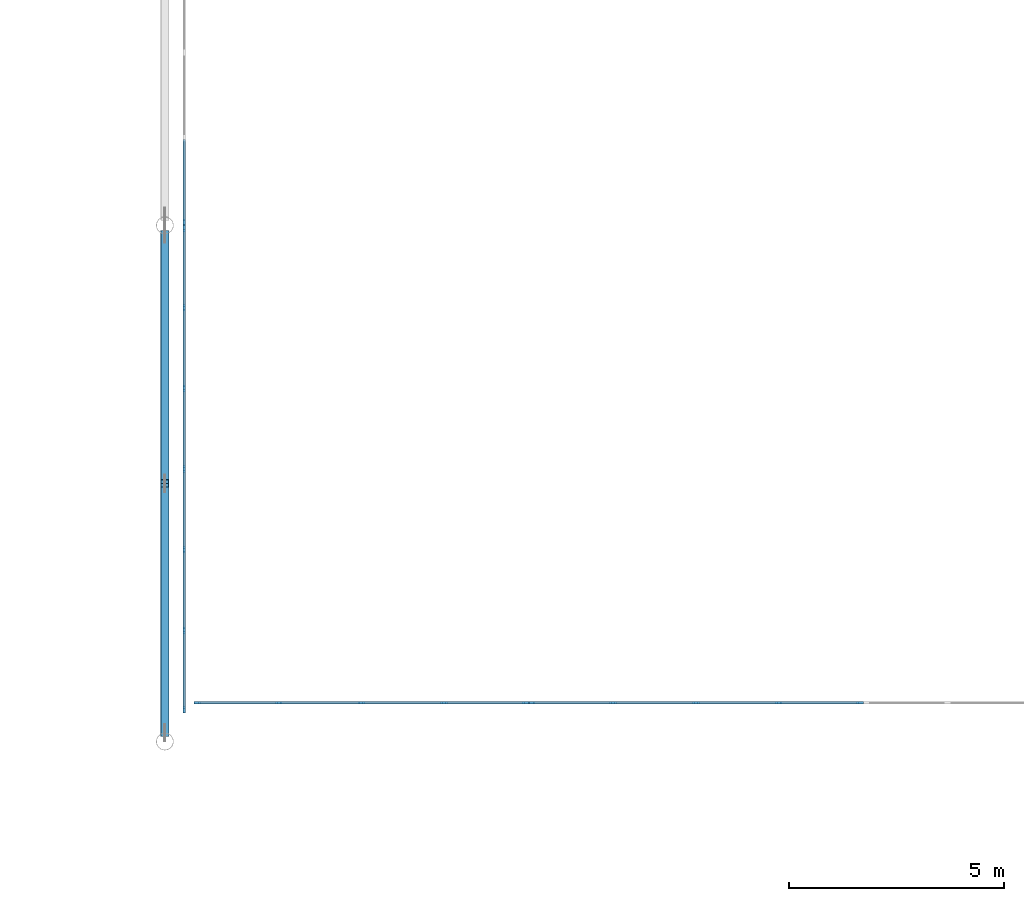
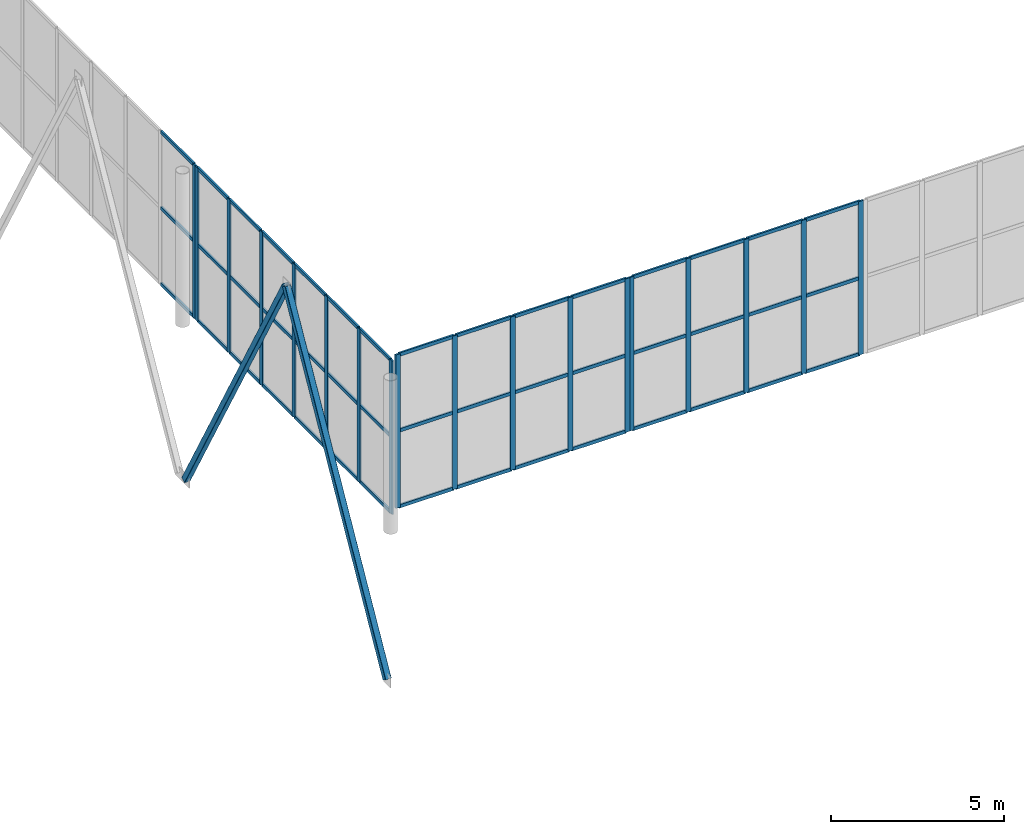
# One storey, part 51 of 170: 65 members, 4 elements without a shape of their own.
"""IFC4 building model written with IfcOpenShell, lengths in metres."""

from ifc_helpers import new_model, si_unit, direction, frame, origin, origin_2d, place, context, subcontext, project, spatial, rectangle, hollow_rectangle, extrude, material, layer, layer_set, material_profile, profile_set, type_object, element, aggregate, save


model = new_model("IFC4")

# Units and contexts
model_context = context("Model", 3, precision=1e-05, world=origin(), true_north=direction((0.0, 1.0)))
body_context = subcontext(model_context, "Body", "Model", "MODEL_VIEW")
ifc_project = project(units=[si_unit("LENGTHUNIT", "METRE"), si_unit("AREAUNIT", "SQUARE_METRE"), si_unit("VOLUMEUNIT", "CUBIC_METRE"), si_unit("PLANEANGLEUNIT", "RADIAN"), si_unit("MASSUNIT", "GRAM", prefix="KILO")], contexts=[model_context])

# Site, building, storey
site_placement = place(None, origin())
site = spatial("IfcSite", under=ifc_project, at=site_placement, CompositionType="ELEMENT")
building_placement = place(site_placement, origin())
building = spatial("IfcBuilding", under=site, at=building_placement, Name="Ravi Spectrum Wholesale Market", CompositionType="ELEMENT")
storey_placement = place(building_placement, frame((0.0, 0.0, 5.39990234375)))
storey = spatial("IfcBuildingStorey", under=building, at=storey_placement, Name="L01", CompositionType="ELEMENT", Elevation=5.39990234375)

# Curtain wall, members
ifc_material_1 = material(Name="Aluminium 6063-T6", Category="aluminium")
ifc_layer = layer(ifc_material_1, 0.14990234375)
ifc_layer_set = layer_set([ifc_layer], Name="Aluminium 6063-T6")
curtain_wall_type = type_object("IfcCurtainWallType", Name="Curtain wall 150", PredefinedType="NOTDEFINED", material=ifc_layer_set)
curtain_wall_1_placement = place(storey_placement, origin())
curtain_wall_1 = element("IfcCurtainWall", 1, at=curtain_wall_1_placement, inside=storey, type_object=curtain_wall_type, Name="H2-CW-L01-001", PredefinedType="NOTDEFINED")
ifc_material_2 = material(Name="Aluminium 6063-T6", Category="aluminium")
ifc_material_profile_1 = material_profile(ifc_material_2, rectangle(XDim=0.06005859375, YDim=0.159912109375, at=origin_2d()))
ifc_profile_set_1 = profile_set([ifc_material_profile_1], Name="Aluminium 6063-T6")
member_type_1 = type_object("IfcMemberType", Name="Mullion 60 x 160", PredefinedType="MULLION", material=ifc_profile_set_1)
member_1_placement = place(storey_placement, frame((150.453125, 78.739990234375, 0.0), z_axis=(0.0, 0.0, 1.0), x_axis=(-1.0, 0.0, 0.0)))
member_1 = element("IfcMember", 2, at=member_1_placement, type_object=member_type_1, Name="H2-CW-L01-001 mullion 1", PredefinedType="MULLION", context=body_context, shape_type="SweptSolid", body=[
    extrude(rectangle(XDim=0.06005859375, YDim=0.159912109375, at=origin_2d()), origin(), (0.0, 0.0, 1.0), 5.400146484375),
])
member_2_placement = place(storey_placement, frame((150.453125, 80.5849609375, 0.0), z_axis=(0.0, 0.0, 1.0), x_axis=(-1.0, 0.0, 0.0)))
member_2 = element("IfcMember", 3, at=member_2_placement, type_object=member_type_1, Name="H2-CW-L01-001 mullion 2", PredefinedType="MULLION", context=body_context, shape_type="SweptSolid", body=[
    extrude(rectangle(XDim=0.06005859375, YDim=0.159912109375, at=origin_2d()), origin(), (0.0, 0.0, 1.0), 5.400146484375),
])
member_3_placement = place(storey_placement, frame((150.453125, 82.4599609375, 0.0), z_axis=(0.0, 0.0, 1.0), x_axis=(-1.0, 0.0, 0.0)))
member_3 = element("IfcMember", 4, at=member_3_placement, type_object=member_type_1, Name="H2-CW-L01-001 mullion 3", PredefinedType="MULLION", context=body_context, shape_type="SweptSolid", body=[
    extrude(rectangle(XDim=0.06005859375, YDim=0.159912109375, at=origin_2d()), origin(), (0.0, 0.0, 1.0), 5.400146484375),
])
member_4_placement = place(storey_placement, frame((150.453125, 84.3349609375, 0.0), z_axis=(0.0, 0.0, 1.0), x_axis=(-1.0, 0.0, 0.0)))
member_4 = element("IfcMember", 5, at=member_4_placement, type_object=member_type_1, Name="H2-CW-L01-001 mullion 4", PredefinedType="MULLION", context=body_context, shape_type="SweptSolid", body=[
    extrude(rectangle(XDim=0.06005859375, YDim=0.159912109375, at=origin_2d()), origin(), (0.0, 0.0, 1.0), 5.400146484375),
])
member_5_placement = place(storey_placement, frame((150.453125, 86.2099609375, 0.0), z_axis=(0.0, 0.0, 1.0), x_axis=(-1.0, 0.0, 0.0)))
member_5 = element("IfcMember", 6, at=member_5_placement, type_object=member_type_1, Name="H2-CW-L01-001 mullion 5", PredefinedType="MULLION", context=body_context, shape_type="SweptSolid", body=[
    extrude(rectangle(XDim=0.06005859375, YDim=0.159912109375, at=origin_2d()), origin(), (0.0, 0.0, 1.0), 5.400146484375),
])
member_6_placement = place(storey_placement, frame((150.453125, 88.0849609375, 0.0), z_axis=(0.0, 0.0, 1.0), x_axis=(-1.0, 0.0, 0.0)))
member_6 = element("IfcMember", 7, at=member_6_placement, type_object=member_type_1, Name="H2-CW-L01-001 mullion 6", PredefinedType="MULLION", context=body_context, shape_type="SweptSolid", body=[
    extrude(rectangle(XDim=0.06005859375, YDim=0.159912109375, at=origin_2d()), origin(), (0.0, 0.0, 1.0), 5.400146484375),
])
member_7_placement = place(storey_placement, frame((150.453125, 89.929931640625, 0.0), z_axis=(0.0, 0.0, 1.0), x_axis=(-1.0, 0.0, 0.0)))
member_7 = element("IfcMember", 8, at=member_7_placement, type_object=member_type_1, Name="H2-CW-L01-001 mullion 7", PredefinedType="MULLION", context=body_context, shape_type="SweptSolid", body=[
    extrude(rectangle(XDim=0.06005859375, YDim=0.159912109375, at=origin_2d()), origin(), (0.0, 0.0, 1.0), 5.400146484375),
])

# Curtain wall, member
curtain_wall_2_placement = place(storey_placement, origin())
curtain_wall_2 = element("IfcCurtainWall", 9, at=curtain_wall_2_placement, inside=storey, type_object=curtain_wall_type, Name="H2-CW-L01-002", PredefinedType="NOTDEFINED")
member_8_placement = place(storey_placement, frame((150.453125, 90.070068359375, 0.0), z_axis=(0.0, 0.0, 1.0), x_axis=(-1.0, 0.0, 0.0)))
member_8 = element("IfcMember", 10, at=member_8_placement, type_object=member_type_1, Name="H2-CW-L01-002 mullion 1", PredefinedType="MULLION", context=body_context, shape_type="SweptSolid", body=[
    extrude(rectangle(XDim=0.06005859375, YDim=0.159912109375, at=origin_2d()), origin(), (0.0, 0.0, 1.0), 5.400146484375),
])

# Curtain wall, members
curtain_wall_3_placement = place(storey_placement, origin())
curtain_wall_3 = element("IfcCurtainWall", 11, at=curtain_wall_3_placement, inside=storey, type_object=curtain_wall_type, Name="H2-CW-L01-009", PredefinedType="NOTDEFINED")
member_9_placement = place(storey_placement, frame((150.753173828125, 78.89990234375, 0.0), z_axis=(0.0, 0.0, 1.0), x_axis=(0.0, 1.0, 0.0)))
member_9 = element("IfcMember", 12, at=member_9_placement, type_object=member_type_1, Name="H2-CW-L01-009 mullion 1", PredefinedType="MULLION", context=body_context, shape_type="SweptSolid", body=[
    extrude(rectangle(XDim=0.06005859375, YDim=0.159912109375, at=origin_2d()), origin(), (0.0, 0.0, 1.0), 5.400146484375),
])
member_10_placement = place(storey_placement, frame((152.646240234375, 78.89990234375, 0.0), z_axis=(0.0, 0.0, 1.0), x_axis=(0.0, 1.0, 0.0)))
member_10 = element("IfcMember", 13, at=member_10_placement, type_object=member_type_1, Name="H2-CW-L01-009 mullion 2", PredefinedType="MULLION", context=body_context, shape_type="SweptSolid", body=[
    extrude(rectangle(XDim=0.06005859375, YDim=0.159912109375, at=origin_2d()), origin(), (0.0, 0.0, 1.0), 5.400146484375),
])
member_11_placement = place(storey_placement, frame((154.5693359375, 78.89990234375, 0.0), z_axis=(0.0, 0.0, 1.0), x_axis=(0.0, 1.0, 0.0)))
member_11 = element("IfcMember", 14, at=member_11_placement, type_object=member_type_1, Name="H2-CW-L01-009 mullion 3", PredefinedType="MULLION", context=body_context, shape_type="SweptSolid", body=[
    extrude(rectangle(XDim=0.06005859375, YDim=0.159912109375, at=origin_2d()), origin(), (0.0, 0.0, 1.0), 5.400146484375),
])
member_12_placement = place(storey_placement, frame((156.492431640625, 78.89990234375, 0.0), z_axis=(0.0, 0.0, 1.0), x_axis=(0.0, 1.0, 0.0)))
member_12 = element("IfcMember", 15, at=member_12_placement, type_object=member_type_1, Name="H2-CW-L01-009 mullion 4", PredefinedType="MULLION", context=body_context, shape_type="SweptSolid", body=[
    extrude(rectangle(XDim=0.06005859375, YDim=0.159912109375, at=origin_2d()), origin(), (0.0, 0.0, 1.0), 5.400146484375),
])
member_13_placement = place(storey_placement, frame((158.385498046875, 78.89990234375, 0.0), z_axis=(0.0, 0.0, 1.0), x_axis=(0.0, 1.0, 0.0)))
member_13 = element("IfcMember", 16, at=member_13_placement, type_object=member_type_1, Name="H2-CW-L01-009 mullion 5", PredefinedType="MULLION", context=body_context, shape_type="SweptSolid", body=[
    extrude(rectangle(XDim=0.06005859375, YDim=0.159912109375, at=origin_2d()), origin(), (0.0, 0.0, 1.0), 5.400146484375),
])

curtain_wall_4_placement = place(storey_placement, origin())
curtain_wall_4 = element("IfcCurtainWall", 17, at=curtain_wall_4_placement, inside=storey, type_object=curtain_wall_type, Name="H2-CW-L01-010", PredefinedType="NOTDEFINED")
member_14_placement = place(storey_placement, frame((158.525390625, 78.89990234375, 0.0), z_axis=(0.0, 0.0, 1.0), x_axis=(0.0, 1.0, 0.0)))
member_14 = element("IfcMember", 18, at=member_14_placement, type_object=member_type_1, Name="H2-CW-L01-010 mullion 1", PredefinedType="MULLION", context=body_context, shape_type="SweptSolid", body=[
    extrude(rectangle(XDim=0.06005859375, YDim=0.159912109375, at=origin_2d()), origin(), (0.0, 0.0, 1.0), 5.400146484375),
])
member_15_placement = place(storey_placement, frame((160.41845703125, 78.89990234375, 0.0), z_axis=(0.0, 0.0, 1.0), x_axis=(0.0, 1.0, 0.0)))
member_15 = element("IfcMember", 19, at=member_15_placement, type_object=member_type_1, Name="H2-CW-L01-010 mullion 2", PredefinedType="MULLION", context=body_context, shape_type="SweptSolid", body=[
    extrude(rectangle(XDim=0.06005859375, YDim=0.159912109375, at=origin_2d()), origin(), (0.0, 0.0, 1.0), 5.400146484375),
])
member_16_placement = place(storey_placement, frame((162.341552734375, 78.89990234375, 0.0), z_axis=(0.0, 0.0, 1.0), x_axis=(0.0, 1.0, 0.0)))
member_16 = element("IfcMember", 20, at=member_16_placement, type_object=member_type_1, Name="H2-CW-L01-010 mullion 3", PredefinedType="MULLION", context=body_context, shape_type="SweptSolid", body=[
    extrude(rectangle(XDim=0.06005859375, YDim=0.159912109375, at=origin_2d()), origin(), (0.0, 0.0, 1.0), 5.400146484375),
])
member_17_placement = place(storey_placement, frame((164.2646484375, 78.89990234375, 0.0), z_axis=(0.0, 0.0, 1.0), x_axis=(0.0, 1.0, 0.0)))
member_17 = element("IfcMember", 21, at=member_17_placement, type_object=member_type_1, Name="H2-CW-L01-010 mullion 4", PredefinedType="MULLION", context=body_context, shape_type="SweptSolid", body=[
    extrude(rectangle(XDim=0.06005859375, YDim=0.159912109375, at=origin_2d()), origin(), (0.0, 0.0, 1.0), 5.400146484375),
])
member_18_placement = place(storey_placement, frame((166.15771484375, 78.89990234375, 0.0), z_axis=(0.0, 0.0, 1.0), x_axis=(0.0, 1.0, 0.0)))
member_18 = element("IfcMember", 22, at=member_18_placement, type_object=member_type_1, Name="H2-CW-L01-010 mullion 5", PredefinedType="MULLION", context=body_context, shape_type="SweptSolid", body=[
    extrude(rectangle(XDim=0.06005859375, YDim=0.159912109375, at=origin_2d()), origin(), (0.0, 0.0, 1.0), 5.400146484375),
])

# Members
ifc_material_3 = material(Name="Steel S355", Category="steel")
ifc_material_profile_2 = material_profile(ifc_material_3, hollow_rectangle(XDim=0.199951171875, YDim=0.199951171875, WallThickness=0.008056640625, InnerFilletRadius=0.008056640625, OuterFilletRadius=0.01611328125, at=origin_2d()))
ifc_profile_set_2 = profile_set([ifc_material_profile_2], Name="Steel S355")
member_type_2 = type_object("IfcMemberType", Name="SHS 200x200x8 brace", PredefinedType="BRACE", material=ifc_profile_set_2)
for number, where, z_axis, x_axis, name in (
    (23, (150.0, 78.203125, -5.3505859375), (0.0, 0.489534756708, 0.871983785385), (-1.0, 0.0, 0.0), "H2-MB-L01-001"),
    (24, (150.0, 89.796875, -5.3505859375), (0.0, -0.489534756708, 0.871983785385), (1.0, 0.0, 0.0), "H2-MB-L01-002"),
):
    element("IfcMember", number, at=place(storey_placement, frame(where, z_axis=z_axis, x_axis=x_axis)), inside=storey, type_object=member_type_2, Name=name, PredefinedType="BRACE", context=body_context, shape_type="SweptSolid", body=[
        extrude(hollow_rectangle(XDim=0.199951171875, YDim=0.199951171875, WallThickness=0.008056640625, InnerFilletRadius=0.008056640625, OuterFilletRadius=0.01611328125, at=origin_2d()), origin(), (0.0, 0.0, 1.0), 11.841552734375),
    ])

# Member
ifc_material_4 = material(Name="Aluminium 6063-T6", Category="aluminium")
ifc_material_profile_3 = material_profile(ifc_material_4, rectangle(XDim=0.06005859375, YDim=0.1201171875, at=origin_2d()))
ifc_profile_set_3 = profile_set([ifc_material_profile_3], Name="Aluminium 6063-T6")
member_type_3 = type_object("IfcMemberType", Name="Transom 60 x 120", PredefinedType="USERDEFINED", material=ifc_profile_set_3)
member_19_placement = place(storey_placement, frame((150.453125, 78.77001953125, 0.030029296875), z_axis=(0.0, 1.0, 0.0), x_axis=(-1.0, 0.0, 0.0)))
member_19 = element("IfcMember", 25, at=member_19_placement, type_object=member_type_3, Name="H2-CW-L01-001 transom 1.1", ObjectType="TRANSOM", PredefinedType="USERDEFINED", context=body_context, shape_type="SweptSolid", body=[
    extrude(rectangle(XDim=0.06005859375, YDim=0.1201171875, at=origin_2d()), origin(), (0.0, 0.0, 1.0), 1.784912109375),
])

member_20_placement = place(storey_placement, frame((150.453125, 78.77001953125, 2.7001953125), z_axis=(0.0, 1.0, 0.0), x_axis=(-1.0, 0.0, 0.0)))
member_20 = element("IfcMember", 26, at=member_20_placement, type_object=member_type_3, Name="H2-CW-L01-001 transom 1.2", ObjectType="TRANSOM", PredefinedType="USERDEFINED", context=body_context, shape_type="SweptSolid", body=[
    extrude(rectangle(XDim=0.06005859375, YDim=0.1201171875, at=origin_2d()), origin(), (0.0, 0.0, 1.0), 1.784912109375),
])

member_21_placement = place(storey_placement, frame((150.453125, 78.77001953125, 5.3701171875), z_axis=(0.0, 1.0, 0.0), x_axis=(-1.0, 0.0, 0.0)))
member_21 = element("IfcMember", 27, at=member_21_placement, type_object=member_type_3, Name="H2-CW-L01-001 transom 1.3", ObjectType="TRANSOM", PredefinedType="USERDEFINED", context=body_context, shape_type="SweptSolid", body=[
    extrude(rectangle(XDim=0.06005859375, YDim=0.1201171875, at=origin_2d()), origin(), (0.0, 0.0, 1.0), 1.784912109375),
])

member_22_placement = place(storey_placement, frame((150.453125, 80.614990234375, 0.030029296875), z_axis=(0.0, 1.0, 0.0), x_axis=(-1.0, 0.0, 0.0)))
member_22 = element("IfcMember", 28, at=member_22_placement, type_object=member_type_3, Name="H2-CW-L01-001 transom 2.1", ObjectType="TRANSOM", PredefinedType="USERDEFINED", context=body_context, shape_type="SweptSolid", body=[
    extrude(rectangle(XDim=0.06005859375, YDim=0.1201171875, at=origin_2d()), origin(), (0.0, 0.0, 1.0), 1.81494140625),
])

member_23_placement = place(storey_placement, frame((150.453125, 80.614990234375, 2.7001953125), z_axis=(0.0, 1.0, 0.0), x_axis=(-1.0, 0.0, 0.0)))
member_23 = element("IfcMember", 29, at=member_23_placement, type_object=member_type_3, Name="H2-CW-L01-001 transom 2.2", ObjectType="TRANSOM", PredefinedType="USERDEFINED", context=body_context, shape_type="SweptSolid", body=[
    extrude(rectangle(XDim=0.06005859375, YDim=0.1201171875, at=origin_2d()), origin(), (0.0, 0.0, 1.0), 1.81494140625),
])

member_24_placement = place(storey_placement, frame((150.453125, 80.614990234375, 5.3701171875), z_axis=(0.0, 1.0, 0.0), x_axis=(-1.0, 0.0, 0.0)))
member_24 = element("IfcMember", 30, at=member_24_placement, type_object=member_type_3, Name="H2-CW-L01-001 transom 2.3", ObjectType="TRANSOM", PredefinedType="USERDEFINED", context=body_context, shape_type="SweptSolid", body=[
    extrude(rectangle(XDim=0.06005859375, YDim=0.1201171875, at=origin_2d()), origin(), (0.0, 0.0, 1.0), 1.81494140625),
])

member_25_placement = place(storey_placement, frame((150.453125, 82.489990234375, 0.030029296875), z_axis=(0.0, 1.0, 0.0), x_axis=(-1.0, 0.0, 0.0)))
member_25 = element("IfcMember", 31, at=member_25_placement, type_object=member_type_3, Name="H2-CW-L01-001 transom 3.1", ObjectType="TRANSOM", PredefinedType="USERDEFINED", context=body_context, shape_type="SweptSolid", body=[
    extrude(rectangle(XDim=0.06005859375, YDim=0.1201171875, at=origin_2d()), origin(), (0.0, 0.0, 1.0), 1.81494140625),
])

member_26_placement = place(storey_placement, frame((150.453125, 82.489990234375, 2.7001953125), z_axis=(0.0, 1.0, 0.0), x_axis=(-1.0, 0.0, 0.0)))
member_26 = element("IfcMember", 32, at=member_26_placement, type_object=member_type_3, Name="H2-CW-L01-001 transom 3.2", ObjectType="TRANSOM", PredefinedType="USERDEFINED", context=body_context, shape_type="SweptSolid", body=[
    extrude(rectangle(XDim=0.06005859375, YDim=0.1201171875, at=origin_2d()), origin(), (0.0, 0.0, 1.0), 1.81494140625),
])

member_27_placement = place(storey_placement, frame((150.453125, 82.489990234375, 5.3701171875), z_axis=(0.0, 1.0, 0.0), x_axis=(-1.0, 0.0, 0.0)))
member_27 = element("IfcMember", 33, at=member_27_placement, type_object=member_type_3, Name="H2-CW-L01-001 transom 3.3", ObjectType="TRANSOM", PredefinedType="USERDEFINED", context=body_context, shape_type="SweptSolid", body=[
    extrude(rectangle(XDim=0.06005859375, YDim=0.1201171875, at=origin_2d()), origin(), (0.0, 0.0, 1.0), 1.81494140625),
])

member_28_placement = place(storey_placement, frame((150.453125, 84.364990234375, 0.030029296875), z_axis=(0.0, 1.0, 0.0), x_axis=(-1.0, 0.0, 0.0)))
member_28 = element("IfcMember", 34, at=member_28_placement, type_object=member_type_3, Name="H2-CW-L01-001 transom 4.1", ObjectType="TRANSOM", PredefinedType="USERDEFINED", context=body_context, shape_type="SweptSolid", body=[
    extrude(rectangle(XDim=0.06005859375, YDim=0.1201171875, at=origin_2d()), origin(), (0.0, 0.0, 1.0), 1.81494140625),
])

member_29_placement = place(storey_placement, frame((150.453125, 84.364990234375, 2.7001953125), z_axis=(0.0, 1.0, 0.0), x_axis=(-1.0, 0.0, 0.0)))
member_29 = element("IfcMember", 35, at=member_29_placement, type_object=member_type_3, Name="H2-CW-L01-001 transom 4.2", ObjectType="TRANSOM", PredefinedType="USERDEFINED", context=body_context, shape_type="SweptSolid", body=[
    extrude(rectangle(XDim=0.06005859375, YDim=0.1201171875, at=origin_2d()), origin(), (0.0, 0.0, 1.0), 1.81494140625),
])

member_30_placement = place(storey_placement, frame((150.453125, 84.364990234375, 5.3701171875), z_axis=(0.0, 1.0, 0.0), x_axis=(-1.0, 0.0, 0.0)))
member_30 = element("IfcMember", 36, at=member_30_placement, type_object=member_type_3, Name="H2-CW-L01-001 transom 4.3", ObjectType="TRANSOM", PredefinedType="USERDEFINED", context=body_context, shape_type="SweptSolid", body=[
    extrude(rectangle(XDim=0.06005859375, YDim=0.1201171875, at=origin_2d()), origin(), (0.0, 0.0, 1.0), 1.81494140625),
])

member_31_placement = place(storey_placement, frame((150.453125, 86.239990234375, 0.030029296875), z_axis=(0.0, 1.0, 0.0), x_axis=(-1.0, 0.0, 0.0)))
member_31 = element("IfcMember", 37, at=member_31_placement, type_object=member_type_3, Name="H2-CW-L01-001 transom 5.1", ObjectType="TRANSOM", PredefinedType="USERDEFINED", context=body_context, shape_type="SweptSolid", body=[
    extrude(rectangle(XDim=0.06005859375, YDim=0.1201171875, at=origin_2d()), origin(), (0.0, 0.0, 1.0), 1.81494140625),
])

member_32_placement = place(storey_placement, frame((150.453125, 86.239990234375, 2.7001953125), z_axis=(0.0, 1.0, 0.0), x_axis=(-1.0, 0.0, 0.0)))
member_32 = element("IfcMember", 38, at=member_32_placement, type_object=member_type_3, Name="H2-CW-L01-001 transom 5.2", ObjectType="TRANSOM", PredefinedType="USERDEFINED", context=body_context, shape_type="SweptSolid", body=[
    extrude(rectangle(XDim=0.06005859375, YDim=0.1201171875, at=origin_2d()), origin(), (0.0, 0.0, 1.0), 1.81494140625),
])

member_33_placement = place(storey_placement, frame((150.453125, 86.239990234375, 5.3701171875), z_axis=(0.0, 1.0, 0.0), x_axis=(-1.0, 0.0, 0.0)))
member_33 = element("IfcMember", 39, at=member_33_placement, type_object=member_type_3, Name="H2-CW-L01-001 transom 5.3", ObjectType="TRANSOM", PredefinedType="USERDEFINED", context=body_context, shape_type="SweptSolid", body=[
    extrude(rectangle(XDim=0.06005859375, YDim=0.1201171875, at=origin_2d()), origin(), (0.0, 0.0, 1.0), 1.81494140625),
])

member_34_placement = place(storey_placement, frame((150.453125, 88.114990234375, 0.030029296875), z_axis=(0.0, 1.0, 0.0), x_axis=(-1.0, 0.0, 0.0)))
member_34 = element("IfcMember", 40, at=member_34_placement, type_object=member_type_3, Name="H2-CW-L01-001 transom 6.1", ObjectType="TRANSOM", PredefinedType="USERDEFINED", context=body_context, shape_type="SweptSolid", body=[
    extrude(rectangle(XDim=0.06005859375, YDim=0.1201171875, at=origin_2d()), origin(), (0.0, 0.0, 1.0), 1.784912109375),
])

member_35_placement = place(storey_placement, frame((150.453125, 88.114990234375, 2.7001953125), z_axis=(0.0, 1.0, 0.0), x_axis=(-1.0, 0.0, 0.0)))
member_35 = element("IfcMember", 41, at=member_35_placement, type_object=member_type_3, Name="H2-CW-L01-001 transom 6.2", ObjectType="TRANSOM", PredefinedType="USERDEFINED", context=body_context, shape_type="SweptSolid", body=[
    extrude(rectangle(XDim=0.06005859375, YDim=0.1201171875, at=origin_2d()), origin(), (0.0, 0.0, 1.0), 1.784912109375),
])

member_36_placement = place(storey_placement, frame((150.453125, 88.114990234375, 5.3701171875), z_axis=(0.0, 1.0, 0.0), x_axis=(-1.0, 0.0, 0.0)))
member_36 = element("IfcMember", 42, at=member_36_placement, type_object=member_type_3, Name="H2-CW-L01-001 transom 6.3", ObjectType="TRANSOM", PredefinedType="USERDEFINED", context=body_context, shape_type="SweptSolid", body=[
    extrude(rectangle(XDim=0.06005859375, YDim=0.1201171875, at=origin_2d()), origin(), (0.0, 0.0, 1.0), 1.784912109375),
])

aggregate(curtain_wall_1, [member_1, member_2, member_3, member_4, member_5, member_6, member_7, member_19, member_20, member_21, member_22, member_23, member_24, member_25, member_26, member_27, member_28, member_29, member_30, member_31, member_32, member_33, member_34, member_35, member_36])

member_37_placement = place(storey_placement, frame((150.453125, 90.10009765625, 0.030029296875), z_axis=(0.0, 1.0, 0.0), x_axis=(-1.0, 0.0, 0.0)))
member_37 = element("IfcMember", 43, at=member_37_placement, type_object=member_type_3, Name="H2-CW-L01-002 transom 1.1", ObjectType="TRANSOM", PredefinedType="USERDEFINED", context=body_context, shape_type="SweptSolid", body=[
    extrude(rectangle(XDim=0.06005859375, YDim=0.1201171875, at=origin_2d()), origin(), (0.0, 0.0, 1.0), 1.896484375),
])

member_38_placement = place(storey_placement, frame((150.453125, 90.10009765625, 2.7001953125), z_axis=(0.0, 1.0, 0.0), x_axis=(-1.0, 0.0, 0.0)))
member_38 = element("IfcMember", 44, at=member_38_placement, type_object=member_type_3, Name="H2-CW-L01-002 transom 1.2", ObjectType="TRANSOM", PredefinedType="USERDEFINED", context=body_context, shape_type="SweptSolid", body=[
    extrude(rectangle(XDim=0.06005859375, YDim=0.1201171875, at=origin_2d()), origin(), (0.0, 0.0, 1.0), 1.896484375),
])

member_39_placement = place(storey_placement, frame((150.453125, 90.10009765625, 5.3701171875), z_axis=(0.0, 1.0, 0.0), x_axis=(-1.0, 0.0, 0.0)))
member_39 = element("IfcMember", 45, at=member_39_placement, type_object=member_type_3, Name="H2-CW-L01-002 transom 1.3", ObjectType="TRANSOM", PredefinedType="USERDEFINED", context=body_context, shape_type="SweptSolid", body=[
    extrude(rectangle(XDim=0.06005859375, YDim=0.1201171875, at=origin_2d()), origin(), (0.0, 0.0, 1.0), 1.896484375),
])

aggregate(curtain_wall_2, [member_8, member_37, member_38, member_39])

member_40_placement = place(storey_placement, frame((150.783203125, 78.89990234375, 0.030029296875), z_axis=(1.0, 0.0, 0.0), x_axis=(0.0, 1.0, 0.0)))
member_40 = element("IfcMember", 46, at=member_40_placement, type_object=member_type_3, Name="H2-CW-L01-009 transom 1.1", ObjectType="TRANSOM", PredefinedType="USERDEFINED", context=body_context, shape_type="SweptSolid", body=[
    extrude(rectangle(XDim=0.06005859375, YDim=0.1201171875, at=origin_2d()), origin(), (0.0, 0.0, 1.0), 1.8330078125),
])

member_41_placement = place(storey_placement, frame((150.783203125, 78.89990234375, 2.7001953125), z_axis=(1.0, 0.0, 0.0), x_axis=(0.0, 1.0, 0.0)))
member_41 = element("IfcMember", 47, at=member_41_placement, type_object=member_type_3, Name="H2-CW-L01-009 transom 1.2", ObjectType="TRANSOM", PredefinedType="USERDEFINED", context=body_context, shape_type="SweptSolid", body=[
    extrude(rectangle(XDim=0.06005859375, YDim=0.1201171875, at=origin_2d()), origin(), (0.0, 0.0, 1.0), 1.8330078125),
])

member_42_placement = place(storey_placement, frame((150.783203125, 78.89990234375, 5.3701171875), z_axis=(1.0, 0.0, 0.0), x_axis=(0.0, 1.0, 0.0)))
member_42 = element("IfcMember", 48, at=member_42_placement, type_object=member_type_3, Name="H2-CW-L01-009 transom 1.3", ObjectType="TRANSOM", PredefinedType="USERDEFINED", context=body_context, shape_type="SweptSolid", body=[
    extrude(rectangle(XDim=0.06005859375, YDim=0.1201171875, at=origin_2d()), origin(), (0.0, 0.0, 1.0), 1.8330078125),
])

member_43_placement = place(storey_placement, frame((152.67626953125, 78.89990234375, 0.030029296875), z_axis=(1.0, 0.0, 0.0), x_axis=(0.0, 1.0, 0.0)))
member_43 = element("IfcMember", 49, at=member_43_placement, type_object=member_type_3, Name="H2-CW-L01-009 transom 2.1", ObjectType="TRANSOM", PredefinedType="USERDEFINED", context=body_context, shape_type="SweptSolid", body=[
    extrude(rectangle(XDim=0.06005859375, YDim=0.1201171875, at=origin_2d()), origin(), (0.0, 0.0, 1.0), 1.863037109375),
])

member_44_placement = place(storey_placement, frame((152.67626953125, 78.89990234375, 2.7001953125), z_axis=(1.0, 0.0, 0.0), x_axis=(0.0, 1.0, 0.0)))
member_44 = element("IfcMember", 50, at=member_44_placement, type_object=member_type_3, Name="H2-CW-L01-009 transom 2.2", ObjectType="TRANSOM", PredefinedType="USERDEFINED", context=body_context, shape_type="SweptSolid", body=[
    extrude(rectangle(XDim=0.06005859375, YDim=0.1201171875, at=origin_2d()), origin(), (0.0, 0.0, 1.0), 1.863037109375),
])

member_45_placement = place(storey_placement, frame((152.67626953125, 78.89990234375, 5.3701171875), z_axis=(1.0, 0.0, 0.0), x_axis=(0.0, 1.0, 0.0)))
member_45 = element("IfcMember", 51, at=member_45_placement, type_object=member_type_3, Name="H2-CW-L01-009 transom 2.3", ObjectType="TRANSOM", PredefinedType="USERDEFINED", context=body_context, shape_type="SweptSolid", body=[
    extrude(rectangle(XDim=0.06005859375, YDim=0.1201171875, at=origin_2d()), origin(), (0.0, 0.0, 1.0), 1.863037109375),
])

member_46_placement = place(storey_placement, frame((154.599365234375, 78.89990234375, 0.030029296875), z_axis=(1.0, 0.0, 0.0), x_axis=(0.0, 1.0, 0.0)))
member_46 = element("IfcMember", 52, at=member_46_placement, type_object=member_type_3, Name="H2-CW-L01-009 transom 3.1", ObjectType="TRANSOM", PredefinedType="USERDEFINED", context=body_context, shape_type="SweptSolid", body=[
    extrude(rectangle(XDim=0.06005859375, YDim=0.1201171875, at=origin_2d()), origin(), (0.0, 0.0, 1.0), 1.863037109375),
])

member_47_placement = place(storey_placement, frame((154.599365234375, 78.89990234375, 2.7001953125), z_axis=(1.0, 0.0, 0.0), x_axis=(0.0, 1.0, 0.0)))
member_47 = element("IfcMember", 53, at=member_47_placement, type_object=member_type_3, Name="H2-CW-L01-009 transom 3.2", ObjectType="TRANSOM", PredefinedType="USERDEFINED", context=body_context, shape_type="SweptSolid", body=[
    extrude(rectangle(XDim=0.06005859375, YDim=0.1201171875, at=origin_2d()), origin(), (0.0, 0.0, 1.0), 1.863037109375),
])

member_48_placement = place(storey_placement, frame((154.599365234375, 78.89990234375, 5.3701171875), z_axis=(1.0, 0.0, 0.0), x_axis=(0.0, 1.0, 0.0)))
member_48 = element("IfcMember", 54, at=member_48_placement, type_object=member_type_3, Name="H2-CW-L01-009 transom 3.3", ObjectType="TRANSOM", PredefinedType="USERDEFINED", context=body_context, shape_type="SweptSolid", body=[
    extrude(rectangle(XDim=0.06005859375, YDim=0.1201171875, at=origin_2d()), origin(), (0.0, 0.0, 1.0), 1.863037109375),
])

member_49_placement = place(storey_placement, frame((156.5224609375, 78.89990234375, 0.030029296875), z_axis=(1.0, 0.0, 0.0), x_axis=(0.0, 1.0, 0.0)))
member_49 = element("IfcMember", 55, at=member_49_placement, type_object=member_type_3, Name="H2-CW-L01-009 transom 4.1", ObjectType="TRANSOM", PredefinedType="USERDEFINED", context=body_context, shape_type="SweptSolid", body=[
    extrude(rectangle(XDim=0.06005859375, YDim=0.1201171875, at=origin_2d()), origin(), (0.0, 0.0, 1.0), 1.8330078125),
])

member_50_placement = place(storey_placement, frame((156.5224609375, 78.89990234375, 2.7001953125), z_axis=(1.0, 0.0, 0.0), x_axis=(0.0, 1.0, 0.0)))
member_50 = element("IfcMember", 56, at=member_50_placement, type_object=member_type_3, Name="H2-CW-L01-009 transom 4.2", ObjectType="TRANSOM", PredefinedType="USERDEFINED", context=body_context, shape_type="SweptSolid", body=[
    extrude(rectangle(XDim=0.06005859375, YDim=0.1201171875, at=origin_2d()), origin(), (0.0, 0.0, 1.0), 1.8330078125),
])

member_51_placement = place(storey_placement, frame((156.5224609375, 78.89990234375, 5.3701171875), z_axis=(1.0, 0.0, 0.0), x_axis=(0.0, 1.0, 0.0)))
member_51 = element("IfcMember", 57, at=member_51_placement, type_object=member_type_3, Name="H2-CW-L01-009 transom 4.3", ObjectType="TRANSOM", PredefinedType="USERDEFINED", context=body_context, shape_type="SweptSolid", body=[
    extrude(rectangle(XDim=0.06005859375, YDim=0.1201171875, at=origin_2d()), origin(), (0.0, 0.0, 1.0), 1.8330078125),
])

aggregate(curtain_wall_3, [member_9, member_10, member_11, member_12, member_13, member_40, member_41, member_42, member_43, member_44, member_45, member_46, member_47, member_48, member_49, member_50, member_51])

member_52_placement = place(storey_placement, frame((158.555419921875, 78.89990234375, 0.030029296875), z_axis=(1.0, 0.0, 0.0), x_axis=(0.0, 1.0, 0.0)))
member_52 = element("IfcMember", 58, at=member_52_placement, type_object=member_type_3, Name="H2-CW-L01-010 transom 1.1", ObjectType="TRANSOM", PredefinedType="USERDEFINED", context=body_context, shape_type="SweptSolid", body=[
    extrude(rectangle(XDim=0.06005859375, YDim=0.1201171875, at=origin_2d()), origin(), (0.0, 0.0, 1.0), 1.8330078125),
])

member_53_placement = place(storey_placement, frame((158.555419921875, 78.89990234375, 2.7001953125), z_axis=(1.0, 0.0, 0.0), x_axis=(0.0, 1.0, 0.0)))
member_53 = element("IfcMember", 59, at=member_53_placement, type_object=member_type_3, Name="H2-CW-L01-010 transom 1.2", ObjectType="TRANSOM", PredefinedType="USERDEFINED", context=body_context, shape_type="SweptSolid", body=[
    extrude(rectangle(XDim=0.06005859375, YDim=0.1201171875, at=origin_2d()), origin(), (0.0, 0.0, 1.0), 1.8330078125),
])

member_54_placement = place(storey_placement, frame((158.555419921875, 78.89990234375, 5.3701171875), z_axis=(1.0, 0.0, 0.0), x_axis=(0.0, 1.0, 0.0)))
member_54 = element("IfcMember", 60, at=member_54_placement, type_object=member_type_3, Name="H2-CW-L01-010 transom 1.3", ObjectType="TRANSOM", PredefinedType="USERDEFINED", context=body_context, shape_type="SweptSolid", body=[
    extrude(rectangle(XDim=0.06005859375, YDim=0.1201171875, at=origin_2d()), origin(), (0.0, 0.0, 1.0), 1.8330078125),
])

member_55_placement = place(storey_placement, frame((160.448486328125, 78.89990234375, 0.030029296875), z_axis=(1.0, 0.0, 0.0), x_axis=(0.0, 1.0, 0.0)))
member_55 = element("IfcMember", 61, at=member_55_placement, type_object=member_type_3, Name="H2-CW-L01-010 transom 2.1", ObjectType="TRANSOM", PredefinedType="USERDEFINED", context=body_context, shape_type="SweptSolid", body=[
    extrude(rectangle(XDim=0.06005859375, YDim=0.1201171875, at=origin_2d()), origin(), (0.0, 0.0, 1.0), 1.863037109375),
])

member_56_placement = place(storey_placement, frame((160.448486328125, 78.89990234375, 2.7001953125), z_axis=(1.0, 0.0, 0.0), x_axis=(0.0, 1.0, 0.0)))
member_56 = element("IfcMember", 62, at=member_56_placement, type_object=member_type_3, Name="H2-CW-L01-010 transom 2.2", ObjectType="TRANSOM", PredefinedType="USERDEFINED", context=body_context, shape_type="SweptSolid", body=[
    extrude(rectangle(XDim=0.06005859375, YDim=0.1201171875, at=origin_2d()), origin(), (0.0, 0.0, 1.0), 1.863037109375),
])

member_57_placement = place(storey_placement, frame((160.448486328125, 78.89990234375, 5.3701171875), z_axis=(1.0, 0.0, 0.0), x_axis=(0.0, 1.0, 0.0)))
member_57 = element("IfcMember", 63, at=member_57_placement, type_object=member_type_3, Name="H2-CW-L01-010 transom 2.3", ObjectType="TRANSOM", PredefinedType="USERDEFINED", context=body_context, shape_type="SweptSolid", body=[
    extrude(rectangle(XDim=0.06005859375, YDim=0.1201171875, at=origin_2d()), origin(), (0.0, 0.0, 1.0), 1.863037109375),
])

member_58_placement = place(storey_placement, frame((162.37158203125, 78.89990234375, 0.030029296875), z_axis=(1.0, 0.0, 0.0), x_axis=(0.0, 1.0, 0.0)))
member_58 = element("IfcMember", 64, at=member_58_placement, type_object=member_type_3, Name="H2-CW-L01-010 transom 3.1", ObjectType="TRANSOM", PredefinedType="USERDEFINED", context=body_context, shape_type="SweptSolid", body=[
    extrude(rectangle(XDim=0.06005859375, YDim=0.1201171875, at=origin_2d()), origin(), (0.0, 0.0, 1.0), 1.863037109375),
])

member_59_placement = place(storey_placement, frame((162.37158203125, 78.89990234375, 2.7001953125), z_axis=(1.0, 0.0, 0.0), x_axis=(0.0, 1.0, 0.0)))
member_59 = element("IfcMember", 65, at=member_59_placement, type_object=member_type_3, Name="H2-CW-L01-010 transom 3.2", ObjectType="TRANSOM", PredefinedType="USERDEFINED", context=body_context, shape_type="SweptSolid", body=[
    extrude(rectangle(XDim=0.06005859375, YDim=0.1201171875, at=origin_2d()), origin(), (0.0, 0.0, 1.0), 1.863037109375),
])

member_60_placement = place(storey_placement, frame((162.37158203125, 78.89990234375, 5.3701171875), z_axis=(1.0, 0.0, 0.0), x_axis=(0.0, 1.0, 0.0)))
member_60 = element("IfcMember", 66, at=member_60_placement, type_object=member_type_3, Name="H2-CW-L01-010 transom 3.3", ObjectType="TRANSOM", PredefinedType="USERDEFINED", context=body_context, shape_type="SweptSolid", body=[
    extrude(rectangle(XDim=0.06005859375, YDim=0.1201171875, at=origin_2d()), origin(), (0.0, 0.0, 1.0), 1.863037109375),
])

member_61_placement = place(storey_placement, frame((164.294677734375, 78.89990234375, 0.030029296875), z_axis=(1.0, 0.0, 0.0), x_axis=(0.0, 1.0, 0.0)))
member_61 = element("IfcMember", 67, at=member_61_placement, type_object=member_type_3, Name="H2-CW-L01-010 transom 4.1", ObjectType="TRANSOM", PredefinedType="USERDEFINED", context=body_context, shape_type="SweptSolid", body=[
    extrude(rectangle(XDim=0.06005859375, YDim=0.1201171875, at=origin_2d()), origin(), (0.0, 0.0, 1.0), 1.8330078125),
])

member_62_placement = place(storey_placement, frame((164.294677734375, 78.89990234375, 2.7001953125), z_axis=(1.0, 0.0, 0.0), x_axis=(0.0, 1.0, 0.0)))
member_62 = element("IfcMember", 68, at=member_62_placement, type_object=member_type_3, Name="H2-CW-L01-010 transom 4.2", ObjectType="TRANSOM", PredefinedType="USERDEFINED", context=body_context, shape_type="SweptSolid", body=[
    extrude(rectangle(XDim=0.06005859375, YDim=0.1201171875, at=origin_2d()), origin(), (0.0, 0.0, 1.0), 1.8330078125),
])

member_63_placement = place(storey_placement, frame((164.294677734375, 78.89990234375, 5.3701171875), z_axis=(1.0, 0.0, 0.0), x_axis=(0.0, 1.0, 0.0)))
member_63 = element("IfcMember", 69, at=member_63_placement, type_object=member_type_3, Name="H2-CW-L01-010 transom 4.3", ObjectType="TRANSOM", PredefinedType="USERDEFINED", context=body_context, shape_type="SweptSolid", body=[
    extrude(rectangle(XDim=0.06005859375, YDim=0.1201171875, at=origin_2d()), origin(), (0.0, 0.0, 1.0), 1.8330078125),
])

aggregate(curtain_wall_4, [member_14, member_15, member_16, member_17, member_18, member_52, member_53, member_54, member_55, member_56, member_57, member_58, member_59, member_60, member_61, member_62, member_63])

save(model, "model.ifc")
